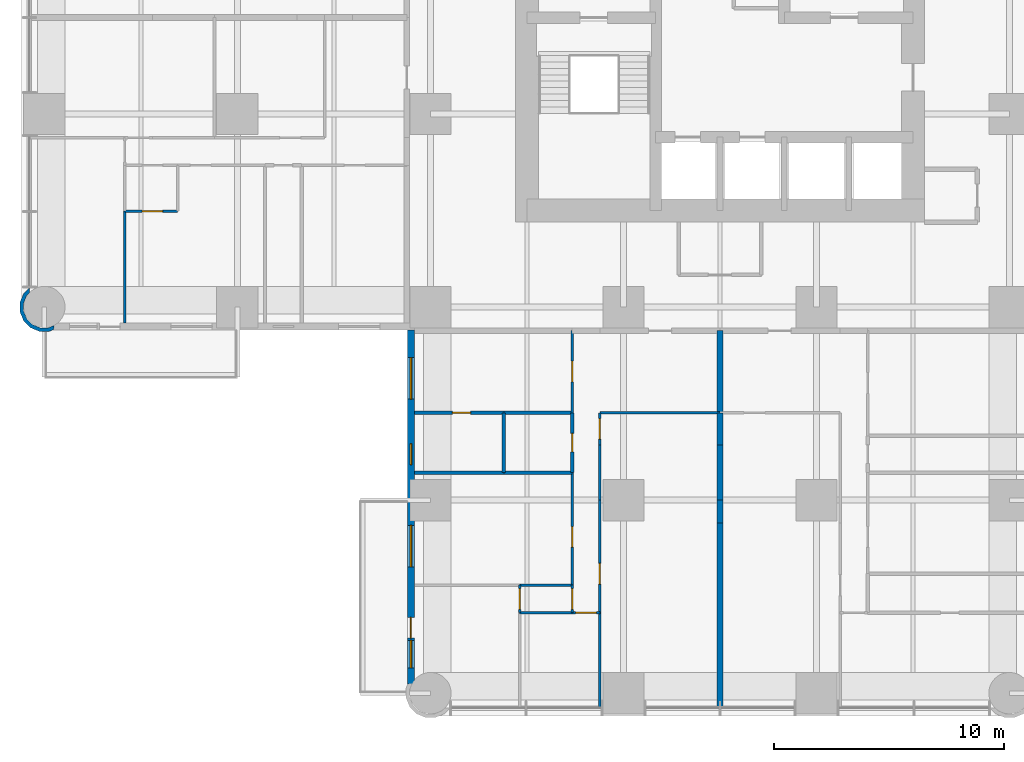
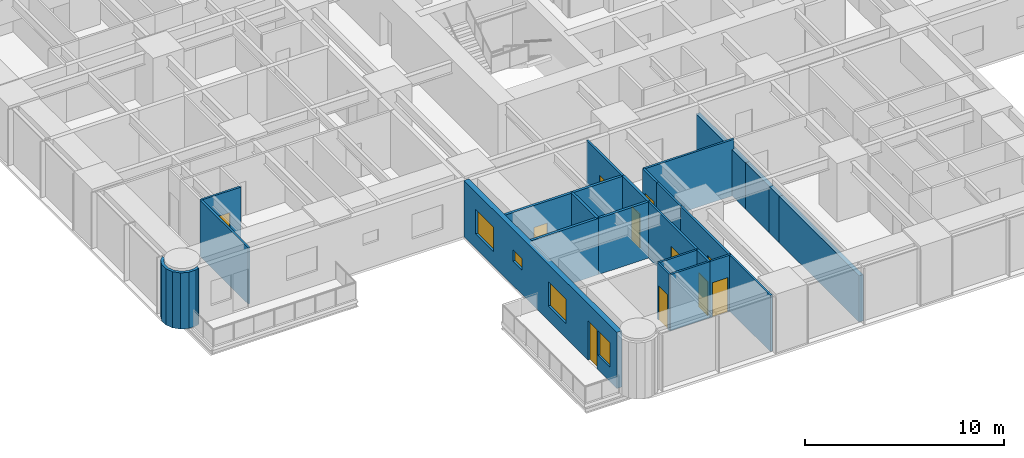
# One storey, part 7 of 17: 27 walls, 11 doors, 4 windows, 15 openings.
"""IFC4 building model written with IfcOpenShell, lengths in metres."""

from ifc_helpers import new_model, si_unit, direction, frame, frame_2d, origin, place, context, subcontext, project, spatial, polyline, rectangle, outline, extrude, material, layer, layer_set, type_object, element, fill, save


model = new_model("IFC4")

# Units and contexts
model_context = context("Model", 3, precision=1e-05, world=origin(), true_north=direction((0.0, 1.0)))
body_context = subcontext(model_context, "Body", "Model", "MODEL_VIEW")
ifc_project = project(units=[si_unit("LENGTHUNIT", "METRE"), si_unit("AREAUNIT", "SQUARE_METRE"), si_unit("VOLUMEUNIT", "CUBIC_METRE"), si_unit("PLANEANGLEUNIT", "RADIAN"), si_unit("MASSUNIT", "GRAM", prefix="KILO")], contexts=[model_context])

# Site, building, storey
site_placement = place(None, origin())
site = spatial("IfcSite", under=ifc_project, at=site_placement, CompositionType="ELEMENT")
building_placement = place(site_placement, origin())
building = spatial("IfcBuilding", under=site, at=building_placement, Name="Torre Alcanfor", CompositionType="ELEMENT")
storey_placement = place(building_placement, frame((0.0, 0.0, 48.89990234375)))
storey = spatial("IfcBuildingStorey", under=building, at=storey_placement, Name="L11", CompositionType="ELEMENT", Elevation=48.89990234375)

# Wall
ifc_material_1 = material(Name="Gypsum board on steel studs", Category="steel")
ifc_layer_1 = layer(ifc_material_1, 0.1201171875)
ifc_layer_set_1 = layer_set([ifc_layer_1], Name="Apartment partition 120")
wall_type_1 = type_object("IfcWallType", Name="Apartment partition 120", PredefinedType="PARTITIONING", material=ifc_layer_set_1)
wall_1_placement = place(storey_placement, frame((29.39990234375, 12.199951171875, 0.0), z_axis=(0.0, 0.0, 1.0), x_axis=(-1.0, 0.0, 0.0)))
element("IfcWall", 1, at=wall_1_placement, inside=storey, type_object=wall_type_1, Name="Partition L11-S2-ZAG / L11-S2-LAUND", PredefinedType="PARTITIONING", context=body_context, shape_type="SweptSolid", body=[
    extrude(rectangle(XDim=5.22900390625, YDim=0.1201171875, at=frame_2d((2.614501953125, 0.0))), origin(), (0.0, 0.0, 1.0), 3.4501953125),
])

# Wall, opening, door
wall_2_placement = place(storey_placement, frame((24.1708984375, 10.800048828125, 0.0), z_axis=(0.0, 0.0, 1.0), x_axis=(0.0, 1.0, 0.0)))
wall_2 = element("IfcWall", 2, at=wall_2_placement, inside=storey, type_object=wall_type_1, Name="Partition L11-S2-LAUND / L11-S2-HALL", PredefinedType="PARTITIONING", context=body_context, shape_type="SweptSolid", body=[
    extrude(rectangle(XDim=1.39990234375, YDim=0.1201171875, at=frame_2d((0.699951171875, 0.0))), origin(), (0.0, 0.0, 1.0), 3.4501953125),
])
opening_1_placement = place(wall_2_placement, frame((0.25, 0.0, 0.0)))
opening_1 = element("IfcOpeningElement", 3, at=opening_1_placement, cuts=wall_2, Name="Opening D-R1", PredefinedType="OPENING", context=body_context, shape_type="SweptSolid", body=[
    extrude(rectangle(XDim=0.89990234375, YDim=2.10009765625, at=frame_2d((0.449951171875, 1.050048828125))), frame((0.0, 0.070068359375, 0.0), z_axis=(0.0, -1.0, 0.0), x_axis=(1.0, 0.0, 0.0)), (0.0, 0.0, 1.0), 0.14013671875),
])
ifc_material_2 = material(Name="Timber", Category="wood")
door_type_1 = type_object("IfcDoorType", Name="Internal door 900x2100", OperationType="SINGLE_SWING_LEFT", PredefinedType="DOOR", material=ifc_material_2)
door_1_placement = place(opening_1_placement, frame((0.89990234375, 0.0, 0.0), z_axis=(0.0, 0.0, 1.0), x_axis=(-1.0, 0.0, 0.0)))
door_1 = element("IfcDoor", 4, at=door_1_placement, inside=storey, type_object=door_type_1, Name="Door L11-S2 laund", OperationType="SINGLE_SWING_RIGHT", OverallHeight=2.10009765625, OverallWidth=0.89990234375, PredefinedType="DOOR", context=body_context, shape_type="SweptSolid", body=[
    extrude(rectangle(XDim=0.89990234375, YDim=2.10009765625, at=frame_2d((0.449951171875, 1.050048828125))), frame((0.0, 0.025146484375, 0.0), z_axis=(0.0, -1.0, 0.0), x_axis=(1.0, 0.0, 0.0)), (0.0, 0.0, 1.0), 0.050048828125),
])
fill(opening_1, door_1)

# Wall
wall_3_placement = place(storey_placement, frame((24.1708984375, 8.39990234375, 0.0), z_axis=(0.0, 0.0, 1.0), x_axis=(0.0, 1.0, 0.0)))
element("IfcWall", 5, at=wall_3_placement, inside=storey, type_object=wall_type_1, Name="Partition L11-S2-KITCHEN / L11-S2-HALL", PredefinedType="PARTITIONING", context=body_context, shape_type="SweptSolid", body=[
    extrude(rectangle(XDim=2.400146484375, YDim=0.1201171875, at=frame_2d((1.2001953125, 0.0))), origin(), (0.0, 0.0, 1.0), 3.4501953125),
])

# Wall, opening, door
wall_4_placement = place(storey_placement, frame((24.1708984375, 3.5, 0.0), z_axis=(0.0, 0.0, 1.0), x_axis=(0.0, 1.0, 0.0)))
wall_4 = element("IfcWall", 6, at=wall_4_placement, inside=storey, type_object=wall_type_1, Name="Partition L11-S2-LIVING / L11-S2-HALL", PredefinedType="PARTITIONING", context=body_context, shape_type="SweptSolid", body=[
    extrude(rectangle(XDim=4.89990234375, YDim=0.1201171875, at=frame_2d((2.449951171875, 0.0))), origin(), (0.0, 0.0, 1.0), 3.4501953125),
])
opening_2_placement = place(wall_4_placement, frame((1.25, 0.0, 0.0)))
opening_2 = element("IfcOpeningElement", 7, at=opening_2_placement, cuts=wall_4, Name="Opening D-R1", PredefinedType="OPENING", context=body_context, shape_type="SweptSolid", body=[
    extrude(rectangle(XDim=0.89990234375, YDim=2.10009765625, at=frame_2d((0.449951171875, 1.050048828125))), frame((0.0, 0.070068359375, 0.0), z_axis=(0.0, -1.0, 0.0), x_axis=(1.0, 0.0, 0.0)), (0.0, 0.0, 1.0), 0.14013671875),
])
door_2_placement = place(opening_2_placement, frame((0.89990234375, 0.0, 0.0), z_axis=(0.0, 0.0, 1.0), x_axis=(-1.0, 0.0, 0.0)))
door_2 = element("IfcDoor", 8, at=door_2_placement, inside=storey, type_object=door_type_1, Name="Door L11-S2 living", OperationType="SINGLE_SWING_LEFT", OverallHeight=2.10009765625, OverallWidth=0.89990234375, PredefinedType="DOOR", context=body_context, shape_type="SweptSolid", body=[
    extrude(rectangle(XDim=0.89990234375, YDim=2.10009765625, at=frame_2d((0.449951171875, 1.050048828125))), frame((0.0, 0.025146484375, 0.0), z_axis=(0.0, -1.0, 0.0), x_axis=(1.0, 0.0, 0.0)), (0.0, 0.0, 1.0), 0.050048828125),
])
fill(opening_2, door_2)

# Wall
wall_5_placement = place(storey_placement, frame((24.1708984375, -0.64990234375, 0.0), z_axis=(0.0, 0.0, 1.0), x_axis=(0.0, 1.0, 0.0)))
element("IfcWall", 9, at=wall_5_placement, inside=storey, type_object=wall_type_1, Name="Partition L11-S2-LIVING / L11-S2-BED2", PredefinedType="PARTITIONING", context=body_context, shape_type="SweptSolid", body=[
    extrude(rectangle(XDim=4.14990234375, YDim=0.1201171875, at=frame_2d((2.074951171875, 0.0))), origin(), (0.0, 0.0, 1.0), 3.4501953125),
])

# Wall, opening, door
wall_6_placement = place(storey_placement, frame((22.970947265625, 12.199951171875, 0.0), z_axis=(0.0, 0.0, 1.0), x_axis=(0.0, 1.0, 0.0)))
wall_6 = element("IfcWall", 10, at=wall_6_placement, inside=storey, type_object=wall_type_1, Name="Partition L11-S2-HALL / L11-S2-SERV", PredefinedType="PARTITIONING", context=body_context, shape_type="SweptSolid", body=[
    extrude(rectangle(XDim=3.574951171875, YDim=0.1201171875, at=frame_2d((1.78759765625, 0.0))), origin(), (0.0, 0.0, 1.0), 3.4501953125),
])
opening_3_placement = place(wall_6_placement, frame((1.35009765625, 0.0, 0.0)))
opening_3 = element("IfcOpeningElement", 11, at=opening_3_placement, cuts=wall_6, Name="Opening D-R1", PredefinedType="OPENING", context=body_context, shape_type="SweptSolid", body=[
    extrude(rectangle(XDim=0.89990234375, YDim=2.10009765625, at=frame_2d((0.449951171875, 1.050048828125))), frame((0.0, 0.070068359375, 0.0), z_axis=(0.0, -1.0, 0.0), x_axis=(1.0, 0.0, 0.0)), (0.0, 0.0, 1.0), 0.14013671875),
])
door_3_placement = place(opening_3_placement, origin())
door_3 = element("IfcDoor", 12, at=door_3_placement, inside=storey, type_object=door_type_1, Name="Door L11-S2 serv", OperationType="SINGLE_SWING_RIGHT", OverallHeight=2.10009765625, OverallWidth=0.89990234375, PredefinedType="DOOR", context=body_context, shape_type="SweptSolid", body=[
    extrude(rectangle(XDim=0.89990234375, YDim=2.10009765625, at=frame_2d((0.449951171875, 1.050048828125))), frame((0.0, 0.02490234375, 0.0), z_axis=(0.0, -1.0, 0.0), x_axis=(1.0, 0.0, 0.0)), (0.0, 0.0, 1.0), 0.050048828125),
])
fill(opening_3, door_3)

wall_7_placement = place(storey_placement, frame((22.970947265625, 4.699951171875, 0.0), z_axis=(0.0, 0.0, 1.0), x_axis=(0.0, 1.0, 0.0)))
wall_7 = element("IfcWall", 13, at=wall_7_placement, inside=storey, type_object=wall_type_1, Name="Partition L11-S2-HALL / L11-S2-BED3", PredefinedType="PARTITIONING", context=body_context, shape_type="SweptSolid", body=[
    extrude(rectangle(XDim=4.900146484375, YDim=0.1201171875, at=frame_2d((2.4501953125, 0.0))), origin(), (0.0, 0.0, 1.0), 3.4501953125),
])
opening_4_placement = place(wall_7_placement, frame((1.64990234375, 0.0, 0.0)))
opening_4 = element("IfcOpeningElement", 14, at=opening_4_placement, cuts=wall_7, Name="Opening D-R1", PredefinedType="OPENING", context=body_context, shape_type="SweptSolid", body=[
    extrude(rectangle(XDim=0.89990234375, YDim=2.10009765625, at=frame_2d((0.449951171875, 1.050048828125))), frame((0.0, 0.070068359375, 0.0), z_axis=(0.0, -1.0, 0.0), x_axis=(1.0, 0.0, 0.0)), (0.0, 0.0, 1.0), 0.14013671875),
])
door_4_placement = place(opening_4_placement, origin())
door_4 = element("IfcDoor", 15, at=door_4_placement, inside=storey, type_object=door_type_1, Name="Door L11-S2 bed3", OperationType="SINGLE_SWING_LEFT", OverallHeight=2.10009765625, OverallWidth=0.89990234375, PredefinedType="DOOR", context=body_context, shape_type="SweptSolid", body=[
    extrude(rectangle(XDim=0.89990234375, YDim=2.10009765625, at=frame_2d((0.449951171875, 1.050048828125))), frame((0.0, 0.02490234375, 0.0), z_axis=(0.0, -1.0, 0.0), x_axis=(1.0, 0.0, 0.0)), (0.0, 0.0, 1.0), 0.050048828125),
])
fill(opening_4, door_4)

wall_8_placement = place(storey_placement, frame((22.970947265625, 3.5, 0.0), z_axis=(0.0, 0.0, 1.0), x_axis=(0.0, 1.0, 0.0)))
wall_8 = element("IfcWall", 16, at=wall_8_placement, inside=storey, type_object=wall_type_1, Name="Partition L11-S2-HALL / L11-S2-VEST", PredefinedType="PARTITIONING", context=body_context, shape_type="SweptSolid", body=[
    extrude(rectangle(XDim=1.199951171875, YDim=0.1201171875, at=frame_2d((0.60009765625, 0.0))), origin(), (0.0, 0.0, 1.0), 3.4501953125),
])
opening_5_placement = place(wall_8_placement, frame((0.14990234375, 0.0, 0.0)))
opening_5 = element("IfcOpeningElement", 17, at=opening_5_placement, cuts=wall_8, Name="Opening D-R1", PredefinedType="OPENING", context=body_context, shape_type="SweptSolid", body=[
    extrude(rectangle(XDim=0.89990234375, YDim=2.10009765625, at=frame_2d((0.449951171875, 1.050048828125))), frame((0.0, 0.070068359375, 0.0), z_axis=(0.0, -1.0, 0.0), x_axis=(1.0, 0.0, 0.0)), (0.0, 0.0, 1.0), 0.14013671875),
])
door_5_placement = place(opening_5_placement, origin())
door_5 = element("IfcDoor", 18, at=door_5_placement, inside=storey, type_object=door_type_1, Name="Door L11-S2 vest", OperationType="SINGLE_SWING_LEFT", OverallHeight=2.10009765625, OverallWidth=0.89990234375, PredefinedType="DOOR", context=body_context, shape_type="SweptSolid", body=[
    extrude(rectangle(XDim=0.89990234375, YDim=2.10009765625, at=frame_2d((0.449951171875, 1.050048828125))), frame((0.0, 0.02490234375, 0.0), z_axis=(0.0, -1.0, 0.0), x_axis=(1.0, 0.0, 0.0)), (0.0, 0.0, 1.0), 0.050048828125),
])
fill(opening_5, door_5)

wall_9_placement = place(storey_placement, frame((24.1708984375, 3.5, 0.0), z_axis=(0.0, 0.0, 1.0), x_axis=(-1.0, 0.0, 0.0)))
wall_9 = element("IfcWall", 19, at=wall_9_placement, inside=storey, type_object=wall_type_1, Name="Partition L11-S2-HALL / L11-S2-BED2", PredefinedType="PARTITIONING", context=body_context, shape_type="SweptSolid", body=[
    extrude(rectangle(XDim=1.199951171875, YDim=0.1201171875, at=frame_2d((0.60009765625, 0.0))), origin(), (0.0, 0.0, 1.0), 3.4501953125),
])
opening_6_placement = place(wall_9_placement, frame((0.15087890625, 0.0, 0.0)))
opening_6 = element("IfcOpeningElement", 20, at=opening_6_placement, cuts=wall_9, Name="Opening D-R1", PredefinedType="OPENING", context=body_context, shape_type="SweptSolid", body=[
    extrude(rectangle(XDim=0.89990234375, YDim=2.10009765625, at=frame_2d((0.449951171875, 1.050048828125))), frame((0.0, 0.070068359375, 0.0), z_axis=(0.0, -1.0, 0.0), x_axis=(1.0, 0.0, 0.0)), (0.0, 0.0, 1.0), 0.14013671875),
])
door_6_placement = place(opening_6_placement, origin())
door_6 = element("IfcDoor", 21, at=door_6_placement, inside=storey, type_object=door_type_1, Name="Door L11-S2 bed2", OperationType="SINGLE_SWING_LEFT", OverallHeight=2.10009765625, OverallWidth=0.89990234375, PredefinedType="DOOR", context=body_context, shape_type="SweptSolid", body=[
    extrude(rectangle(XDim=0.89990234375, YDim=2.10009765625, at=frame_2d((0.449951171875, 1.050048828125))), frame((0.0, 0.02490234375, 0.0), z_axis=(0.0, -1.0, 0.0), x_axis=(1.0, 0.0, 0.0)), (0.0, 0.0, 1.0), 0.050048828125),
])
fill(opening_6, door_6)

# Walls
for number, where, z_axis, x_axis, name in (
    (22, (22.970947265625, 4.699951171875, 0.0), (0.0, 0.0, 1.0), (-1.0, 0.0, 0.0), "Partition L11-S2-BED3 / L11-S2-VEST"),
    (23, (22.970947265625, 3.5, 0.0), (0.0, 0.0, 1.0), (-1.0, 0.0, 0.0), "Partition L11-S2-VEST / L11-S2-BED2"),
):
    element("IfcWall", number, at=place(storey_placement, frame(where, z_axis=z_axis, x_axis=x_axis)), inside=storey, type_object=wall_type_1, Name=name, PredefinedType="PARTITIONING", context=body_context, shape_type="SweptSolid", body=[
        extrude(rectangle(XDim=2.284912109375, YDim=0.1201171875, at=frame_2d((1.142578125, 0.0))), origin(), (0.0, 0.0, 1.0), 3.4501953125),
    ])

# Wall, opening, door
wall_10_placement = place(storey_placement, frame((20.68603515625, 3.5, 0.0), z_axis=(0.0, 0.0, 1.0), x_axis=(0.0, 1.0, 0.0)))
wall_10 = element("IfcWall", 24, at=wall_10_placement, inside=storey, type_object=wall_type_1, Name="Partition L11-S2-VEST / L11-S2-MASTER", PredefinedType="PARTITIONING", context=body_context, shape_type="SweptSolid", body=[
    extrude(rectangle(XDim=1.199951171875, YDim=0.1201171875, at=frame_2d((0.60009765625, 0.0))), origin(), (0.0, 0.0, 1.0), 3.4501953125),
])
opening_7_placement = place(wall_10_placement, frame((0.14990234375, 0.0, 0.0)))
opening_7 = element("IfcOpeningElement", 25, at=opening_7_placement, cuts=wall_10, Name="Opening D-R1", PredefinedType="OPENING", context=body_context, shape_type="SweptSolid", body=[
    extrude(rectangle(XDim=0.89990234375, YDim=2.10009765625, at=frame_2d((0.449951171875, 1.050048828125))), frame((0.0, 0.070068359375, 0.0), z_axis=(0.0, -1.0, 0.0), x_axis=(1.0, 0.0, 0.0)), (0.0, 0.0, 1.0), 0.14013671875),
])
door_7_placement = place(opening_7_placement, frame((0.89990234375, 0.0, 0.0), z_axis=(0.0, 0.0, 1.0), x_axis=(-1.0, 0.0, 0.0)))
door_7 = element("IfcDoor", 26, at=door_7_placement, inside=storey, type_object=door_type_1, Name="Door L11-S2 master", OperationType="SINGLE_SWING_RIGHT", OverallHeight=2.10009765625, OverallWidth=0.89990234375, PredefinedType="DOOR", context=body_context, shape_type="SweptSolid", body=[
    extrude(rectangle(XDim=0.89990234375, YDim=2.10009765625, at=frame_2d((0.449951171875, 1.050048828125))), frame((0.0, 0.025146484375, 0.0), z_axis=(0.0, -1.0, 0.0), x_axis=(1.0, 0.0, 0.0)), (0.0, 0.0, 1.0), 0.050048828125),
])
fill(opening_7, door_7)

wall_11_placement = place(storey_placement, frame((3.5, 20.970947265625, 0.0), z_axis=(0.0, 0.0, 1.0), x_axis=(1.0, 0.0, 0.0)))
wall_11 = element("IfcWall", 27, at=wall_11_placement, inside=storey, type_object=wall_type_1, Name="Partition L11-W1-MASTER / L11-W1-VEST", PredefinedType="PARTITIONING", context=body_context, shape_type="SweptSolid", body=[
    extrude(rectangle(XDim=2.300048828125, YDim=0.1201171875, at=frame_2d((1.14990234375, 0.0))), origin(), (0.0, 0.0, 1.0), 3.4501953125),
])
opening_8_placement = place(wall_11_placement, frame((0.75, 0.0, 0.0)))
opening_8 = element("IfcOpeningElement", 28, at=opening_8_placement, cuts=wall_11, Name="Opening D-R1", PredefinedType="OPENING", context=body_context, shape_type="SweptSolid", body=[
    extrude(rectangle(XDim=0.89990234375, YDim=2.10009765625, at=frame_2d((0.449951171875, 1.050048828125))), frame((0.0, 0.070068359375, 0.0), z_axis=(0.0, -1.0, 0.0), x_axis=(1.0, 0.0, 0.0)), (0.0, 0.0, 1.0), 0.14013671875),
])
door_8_placement = place(opening_8_placement, origin())
door_8 = element("IfcDoor", 29, at=door_8_placement, inside=storey, type_object=door_type_1, Name="Door L11-W1 master", OperationType="SINGLE_SWING_RIGHT", OverallHeight=2.10009765625, OverallWidth=0.89990234375, PredefinedType="DOOR", context=body_context, shape_type="SweptSolid", body=[
    extrude(rectangle(XDim=0.89990234375, YDim=2.10009765625, at=frame_2d((0.449951171875, 1.050048828125))), frame((0.0, 0.02490234375, 0.0), z_axis=(0.0, -1.0, 0.0), x_axis=(1.0, 0.0, 0.0)), (0.0, 0.0, 1.0), 0.050048828125),
])
fill(opening_8, door_8)

# Wall
wall_12_placement = place(storey_placement, frame((3.5, 16.10009765625, 0.0), z_axis=(0.0, 0.0, 1.0), x_axis=(0.0, 1.0, 0.0)))
element("IfcWall", 30, at=wall_12_placement, inside=storey, type_object=wall_type_1, Name="Partition L11-W1-MASTER / L11-W1-WGARD", PredefinedType="PARTITIONING", context=body_context, shape_type="SweptSolid", body=[
    extrude(rectangle(XDim=4.870849609375, YDim=0.1201171875, at=frame_2d((2.435546875, 0.0))), origin(), (0.0, 0.0, 1.0), 3.4501953125),
])

# Wall, openings, door, windows
ifc_material_3 = material(Name="Limestone cladding", Category="masonry")
ifc_layer_2 = layer(ifc_material_3, 0.0400390625, Name="Facing")
ifc_material_4 = material(Name="Ventilated air cavity")
ifc_layer_3 = layer(ifc_material_4, 0.02001953125, ventilated=True, Name="Ventilated joint")
ifc_material_5 = material(Name="Mineral wool insulation", Category="insulation")
ifc_layer_4 = layer(ifc_material_5, 0.10009765625, Name="Insulation")
ifc_material_6 = material(Name="Concrete f'c 35 MPa", Category="concrete")
ifc_layer_5 = layer(ifc_material_6, 0.139892578125, Name="Backing")
ifc_layer_set_2 = layer_set([ifc_layer_2, ifc_layer_3, ifc_layer_4, ifc_layer_5], Name="External wall stone-clad 300")
wall_type_2 = type_object("IfcWallType", Name="External wall stone-clad 300", PredefinedType="SOLIDWALL", material=ifc_layer_set_2)
wall_13_placement = place(storey_placement, frame((15.949951171875, 15.800048828125, 0.0), z_axis=(0.0, 0.0, 1.0), x_axis=(0.0, -1.0, 0.0)))
wall_13 = element("IfcWall", 31, at=wall_13_placement, inside=storey, type_object=wall_type_2, Name="External wall L11 4", PredefinedType="SOLIDWALL", context=body_context, shape_type="SweptSolid", body=[
    extrude(rectangle(XDim=15.400146484375, YDim=0.300048828125, at=frame_2d((7.7001953125, 0.0))), origin(), (0.0, 0.0, 1.0), 3.4501953125),
])
opening_9_placement = place(wall_13_placement, frame((1.199951171875, 0.0, 0.89990234375)))
opening_9 = element("IfcOpeningElement", 32, at=opening_9_placement, cuts=wall_13, Name="Opening W2", PredefinedType="OPENING", context=body_context, shape_type="SweptSolid", body=[
    extrude(rectangle(XDim=1.800048828125, YDim=1.5, at=frame_2d((0.89990234375, 0.75))), frame((0.0, 0.159912109375, 0.0), z_axis=(0.0, -1.0, 0.0), x_axis=(1.0, 0.0, 0.0)), (0.0, 0.0, 1.0), 0.320068359375),
])
opening_10_placement = place(wall_13_placement, frame((4.949951171875, 0.0, 1.5)))
opening_10 = element("IfcOpeningElement", 33, at=opening_10_placement, cuts=wall_13, Name="Opening W3", PredefinedType="OPENING", context=body_context, shape_type="SweptSolid", body=[
    extrude(rectangle(XDim=0.89990234375, YDim=0.699951171875, at=frame_2d((0.449951171875, 0.35009765625))), frame((0.0, 0.159912109375, 0.0), z_axis=(0.0, -1.0, 0.0), x_axis=(1.0, 0.0, 0.0)), (0.0, 0.0, 1.0), 0.320068359375),
])
opening_11_placement = place(wall_13_placement, frame((8.5, 0.0, 0.89990234375)))
opening_11 = element("IfcOpeningElement", 34, at=opening_11_placement, cuts=wall_13, Name="Opening W2", PredefinedType="OPENING", context=body_context, shape_type="SweptSolid", body=[
    extrude(rectangle(XDim=1.800048828125, YDim=1.5, at=frame_2d((0.89990234375, 0.75))), frame((0.0, 0.159912109375, 0.0), z_axis=(0.0, -1.0, 0.0), x_axis=(1.0, 0.0, 0.0)), (0.0, 0.0, 1.0), 0.320068359375),
])
opening_12_placement = place(wall_13_placement, frame((12.5, 0.0, 0.0)))
opening_12 = element("IfcOpeningElement", 35, at=opening_12_placement, cuts=wall_13, Name="Opening D-B1", PredefinedType="OPENING", context=body_context, shape_type="SweptSolid", body=[
    extrude(rectangle(XDim=0.89990234375, YDim=2.39990234375, at=frame_2d((0.449951171875, 1.199951171875))), frame((0.0, 0.159912109375, 0.0), z_axis=(0.0, -1.0, 0.0), x_axis=(1.0, 0.0, 0.0)), (0.0, 0.0, 1.0), 0.320068359375),
])
opening_13_placement = place(wall_13_placement, frame((13.5, 0.0, 0.89990234375)))
opening_13 = element("IfcOpeningElement", 36, at=opening_13_placement, cuts=wall_13, Name="Opening W4", PredefinedType="OPENING", context=body_context, shape_type="SweptSolid", body=[
    extrude(rectangle(XDim=1.199951171875, YDim=1.5, at=frame_2d((0.60009765625, 0.75))), frame((0.0, 0.159912109375, 0.0), z_axis=(0.0, -1.0, 0.0), x_axis=(1.0, 0.0, 0.0)), (0.0, 0.0, 1.0), 0.320068359375),
])
ifc_material_7 = material(Name="Aluminium and glass", Category="aluminium")
door_type_2 = type_object("IfcDoorType", Name="Balcony door glazed 900x2400", OperationType="SINGLE_SWING_LEFT", PredefinedType="DOOR", material=ifc_material_7)
door_9_placement = place(opening_12_placement, origin())
door_9 = element("IfcDoor", 37, at=door_9_placement, inside=storey, type_object=door_type_2, Name="Balcony door L11-S2", OperationType="SINGLE_SWING_LEFT", OverallHeight=2.39990234375, OverallWidth=0.89990234375, PredefinedType="DOOR", context=body_context, shape_type="SweptSolid", body=[
    extrude(rectangle(XDim=0.89990234375, YDim=2.39990234375, at=frame_2d((0.449951171875, 1.199951171875))), frame((0.0, 0.02490234375, 0.0), z_axis=(0.0, -1.0, 0.0), x_axis=(1.0, 0.0, 0.0)), (0.0, 0.0, 1.0), 0.050048828125),
])
fill(opening_12, door_9)
ifc_material_8 = material(Name="Aluminium frame with clear double glazing", Category="aluminium")
window_type_1 = type_object("IfcWindowType", Name="Window bathroom 900x700", PartitioningType="SINGLE_PANEL", PredefinedType="WINDOW", material=ifc_material_8)
window_1_placement = place(opening_10_placement, origin())
window_1 = element("IfcWindow", 38, at=window_1_placement, inside=storey, type_object=window_type_1, Name="Window W3 L11-S2", OverallHeight=0.699951171875, OverallWidth=0.89990234375, PartitioningType="SINGLE_PANEL", PredefinedType="WINDOW", context=body_context, shape_type="SweptSolid", body=[
    extrude(rectangle(XDim=0.89990234375, YDim=0.699951171875, at=frame_2d((0.449951171875, 0.35009765625))), frame((0.0, 0.030029296875, 0.0), z_axis=(0.0, -1.0, 0.0), x_axis=(1.0, 0.0, 0.0)), (0.0, 0.0, 1.0), 0.06005859375),
])
fill(opening_10, window_1)
ifc_material_9 = material(Name="Aluminium frame with clear double glazing", Category="aluminium")
window_type_2 = type_object("IfcWindowType", Name="Window bedroom 1200x1500", PartitioningType="SINGLE_PANEL", PredefinedType="WINDOW", material=ifc_material_9)
window_2_placement = place(opening_13_placement, origin())
window_2 = element("IfcWindow", 39, at=window_2_placement, inside=storey, type_object=window_type_2, Name="Window W4 L11-S2", OverallHeight=1.5, OverallWidth=1.199951171875, PartitioningType="SINGLE_PANEL", PredefinedType="WINDOW", context=body_context, shape_type="SweptSolid", body=[
    extrude(rectangle(XDim=1.199951171875, YDim=1.5, at=frame_2d((0.60009765625, 0.75))), frame((0.0, 0.030029296875, 0.0), z_axis=(0.0, -1.0, 0.0), x_axis=(1.0, 0.0, 0.0)), (0.0, 0.0, 1.0), 0.06005859375),
])
fill(opening_13, window_2)
ifc_material_10 = material(Name="Aluminium frame with clear double glazing", Category="aluminium")
window_type_3 = type_object("IfcWindowType", Name="Window bedroom 1800x1500", PartitioningType="SINGLE_PANEL", PredefinedType="WINDOW", material=ifc_material_10)
window_3_placement = place(opening_9_placement, origin())
window_3 = element("IfcWindow", 40, at=window_3_placement, inside=storey, type_object=window_type_3, Name="Window W2 L11-S2", OverallHeight=1.5, OverallWidth=1.800048828125, PartitioningType="SINGLE_PANEL", PredefinedType="WINDOW", context=body_context, shape_type="SweptSolid", body=[
    extrude(rectangle(XDim=1.800048828125, YDim=1.5, at=frame_2d((0.89990234375, 0.75))), frame((0.0, 0.030029296875, 0.0), z_axis=(0.0, -1.0, 0.0), x_axis=(1.0, 0.0, 0.0)), (0.0, 0.0, 1.0), 0.06005859375),
])
fill(opening_9, window_3)
window_4_placement = place(opening_11_placement, origin())
window_4 = element("IfcWindow", 41, at=window_4_placement, inside=storey, type_object=window_type_3, Name="Window W2 L11-S2", OverallHeight=1.5, OverallWidth=1.800048828125, PartitioningType="SINGLE_PANEL", PredefinedType="WINDOW", context=body_context, shape_type="SweptSolid", body=[
    extrude(rectangle(XDim=1.800048828125, YDim=1.5, at=frame_2d((0.89990234375, 0.75))), frame((0.0, 0.030029296875, 0.0), z_axis=(0.0, -1.0, 0.0), x_axis=(1.0, 0.0, 0.0)), (0.0, 0.0, 1.0), 0.06005859375),
])
fill(opening_11, window_4)

# Walls
ifc_material_11 = material(Name="Concrete block masonry, hollow blocks NMX-C-404 9 MPa", Category="masonry")
ifc_layer_6 = layer(ifc_material_11, 0.25)
ifc_layer_set_3 = layer_set([ifc_layer_6], Name="Party wall 250 EI 60")
wall_type_3 = type_object("IfcWallType", Name="Party wall 250 EI 60", PredefinedType="PARTITIONING", material=ifc_layer_set_3)
wall_14_placement = place(storey_placement, frame((29.39990234375, 15.77490234375, 0.0), z_axis=(0.0, 0.0, 1.0), x_axis=(0.0, -1.0, 0.0)))
element("IfcWall", 42, at=wall_14_placement, inside=storey, type_object=wall_type_3, Name="Partition L11-S1-ZAG / L11-S2-ZAG", PredefinedType="PARTITIONING", context=body_context, shape_type="SweptSolid", body=[
    extrude(rectangle(XDim=3.574951171875, YDim=0.25, at=frame_2d((1.78759765625, 0.0))), origin(), (0.0, 0.0, 1.0), 2.84814453125),
])
wall_15_placement = place(storey_placement, frame((29.39990234375, 12.199951171875, 0.0), z_axis=(0.0, 0.0, 1.0), x_axis=(0.0, -1.0, 0.0)))
element("IfcWall", 43, at=wall_15_placement, inside=storey, type_object=wall_type_3, Name="Partition L11-S1-KITCHEN / L11-S2-LAUND", PredefinedType="PARTITIONING", context=body_context, shape_type="SweptSolid", body=[
    extrude(rectangle(XDim=1.39990234375, YDim=0.25, at=frame_2d((0.699951171875, 0.0))), origin(), (0.0, 0.0, 1.0), 2.84814453125),
])
wall_16_placement = place(storey_placement, frame((29.39990234375, 10.800048828125, 0.0), z_axis=(0.0, 0.0, 1.0), x_axis=(0.0, -1.0, 0.0)))
element("IfcWall", 44, at=wall_16_placement, inside=storey, type_object=wall_type_3, Name="Partition L11-S1-KITCHEN / L11-S2-KITCHEN", PredefinedType="PARTITIONING", context=body_context, shape_type="SweptSolid", body=[
    extrude(rectangle(XDim=2.400146484375, YDim=0.25, at=frame_2d((1.2001953125, 0.0))), origin(), (0.0, 0.0, 1.0), 2.84814453125),
])
wall_17_placement = place(storey_placement, frame((29.39990234375, 8.39990234375, 0.0), z_axis=(0.0, 0.0, 1.0), x_axis=(0.0, -1.0, 0.0)))
element("IfcWall", 45, at=wall_17_placement, inside=storey, type_object=wall_type_3, Name="Partition L11-S1-KITCHEN / L11-S2-LIVING", PredefinedType="PARTITIONING", context=body_context, shape_type="SweptSolid", body=[
    extrude(rectangle(XDim=1.0, YDim=0.25, at=frame_2d((0.5, 0.0))), origin(), (0.0, 0.0, 1.0), 2.84814453125),
])
wall_18_placement = place(storey_placement, frame((29.39990234375, 7.39990234375, 0.0), z_axis=(0.0, 0.0, 1.0), x_axis=(0.0, -1.0, 0.0)))
element("IfcWall", 46, at=wall_18_placement, inside=storey, type_object=wall_type_3, Name="Partition L11-S1-LIVING / L11-S2-LIVING", PredefinedType="PARTITIONING", context=body_context, shape_type="SweptSolid", body=[
    extrude(rectangle(XDim=8.0498046875, YDim=0.25, at=frame_2d((4.02490234375, 0.0))), origin(), (0.0, 0.0, 1.0), 2.84814453125),
])
ifc_layer_7 = layer(ifc_material_3, 0.0400390625, Name="Facing")
ifc_layer_8 = layer(ifc_material_4, 0.02001953125, ventilated=True, Name="Ventilated joint")
ifc_layer_9 = layer(ifc_material_5, 0.10009765625, Name="Insulation")
ifc_layer_10 = layer(ifc_material_6, 0.139892578125, Name="Backing")
ifc_layer_set_4 = layer_set([ifc_layer_7, ifc_layer_8, ifc_layer_9, ifc_layer_10], Name="Rounded corner pier stone-clad 300")
wall_type_4 = type_object("IfcWallType", Name="Rounded corner pier stone-clad 300", PredefinedType="SOLIDWALL", material=ifc_layer_set_4)
wall_19_placement = place(storey_placement, frame((-0.610519256, 17.56659392, 0.0), z_axis=(0.0, 0.0, 1.0), x_axis=(-0.926129809145, -0.377204953059, 0.0)))
element("IfcWall", 47, at=wall_19_placement, inside=storey, type_object=wall_type_4, Name="Corner pier L11 14", PredefinedType="SOLIDWALL", context=body_context, shape_type="SweptSolid", body=[
    extrude(outline(polyline([(-0.2694320048751383, 2.0171861008885523), (-0.3700526678318482, 1.8406866495551875), (-0.10232913830325796, 1.8423628952563784), (0.22959433821660935, 1.7071732294627), (0.4846648868960458, 1.4551341488862783), (0.6237723089217844, 1.1248457008471362), (0.6256501657648526, 0.7663568996565957), (0.49046049997117414, 0.4344334231367283), (0.2387396163581813, 0.17949688931473468), (0.09014163443691028, 0.11691195088889664), (0.010851237809964043, -0.07776523799639344), (0.024417592436116662, -0.08329070117597158), (0.32956848036437986, 0.045229547111777235), (0.4801338191951393, 0.19743274075920003), (0.4990091877024963, 0.1926447125875501), (0.5075557555746872, 0.2252788612711387), (0.6260018077392729, 0.3452223941390844), (0.7850430562581303, 0.7357073014618439), (0.782472278983801, 1.15721841463542), (0.6187061231885674, 1.5460551039454697), (0.3187132761612602, 1.8424884313203629), (-0.07154552525106339, 2.0014375887862275), (-0.2401131340992967, 2.00049972024067), (-0.2694320048751383, 2.0171861008885523)])), origin(), (0.0, 0.0, 1.0), 3.4501953125),
])

# Wall, opening, door
ifc_material_12 = material(Name="Cement board on steel studs", Category="steel")
ifc_layer_11 = layer(ifc_material_12, 0.14990234375)
ifc_layer_set_5 = layer_set([ifc_layer_11], Name="Wet area partition 150")
wall_type_5 = type_object("IfcWallType", Name="Wet area partition 150", PredefinedType="PARTITIONING", material=ifc_layer_set_5)
wall_20_placement = place(storey_placement, frame((22.970947265625, 9.60009765625, 0.0), z_axis=(0.0, 0.0, 1.0), x_axis=(0.0, 1.0, 0.0)))
wall_20 = element("IfcWall", 48, at=wall_20_placement, inside=storey, type_object=wall_type_5, Name="Partition L11-S2-HALL / L11-S2-BATH1", PredefinedType="PARTITIONING", context=body_context, shape_type="SweptSolid", body=[
    extrude(rectangle(XDim=2.599853515625, YDim=0.14990234375, at=frame_2d((1.2998046875, 0.0))), origin(), (0.0, 0.0, 1.0), 3.4501953125),
])
opening_14_placement = place(wall_20_placement, frame((0.89990234375, 0.0, 0.0)))
opening_14 = element("IfcOpeningElement", 49, at=opening_14_placement, cuts=wall_20, Name="Opening D-R2", PredefinedType="OPENING", context=body_context, shape_type="SweptSolid", body=[
    extrude(rectangle(XDim=0.800048828125, YDim=2.10009765625, at=frame_2d((0.39990234375, 1.050048828125))), frame((0.0, 0.0849609375, 0.0), z_axis=(0.0, -1.0, 0.0), x_axis=(1.0, 0.0, 0.0)), (0.0, 0.0, 1.0), 0.169921875),
])
ifc_material_13 = material(Name="Timber", Category="wood")
door_type_3 = type_object("IfcDoorType", Name="Bathroom door 800x2100", OperationType="SINGLE_SWING_LEFT", PredefinedType="DOOR", material=ifc_material_13)
door_10_placement = place(opening_14_placement, origin())
door_10 = element("IfcDoor", 50, at=door_10_placement, inside=storey, type_object=door_type_3, Name="Door L11-S2 bath1", OperationType="SINGLE_SWING_LEFT", OverallHeight=2.10009765625, OverallWidth=0.800048828125, PredefinedType="DOOR", context=body_context, shape_type="SweptSolid", body=[
    extrude(rectangle(XDim=0.800048828125, YDim=2.10009765625, at=frame_2d((0.39990234375, 1.050048828125))), frame((0.0, 0.02490234375, 0.0), z_axis=(0.0, -1.0, 0.0), x_axis=(1.0, 0.0, 0.0)), (0.0, 0.0, 1.0), 0.050048828125),
])
fill(opening_14, door_10)

# Wall
wall_21_placement = place(storey_placement, frame((22.970947265625, 12.199951171875, 0.0), z_axis=(0.0, 0.0, 1.0), x_axis=(-1.0, 0.0, 0.0)))
element("IfcWall", 51, at=wall_21_placement, inside=storey, type_object=wall_type_5, Name="Partition L11-S2-SERV / L11-S2-BATH1", PredefinedType="PARTITIONING", context=body_context, shape_type="SweptSolid", body=[
    extrude(rectangle(XDim=2.970947265625, YDim=0.14990234375, at=frame_2d((1.4853515625, 0.0))), origin(), (0.0, 0.0, 1.0), 3.4501953125),
])

# Wall, opening, door
wall_22_placement = place(storey_placement, frame((20.0, 12.199951171875, 0.0), z_axis=(0.0, 0.0, 1.0), x_axis=(-1.0, 0.0, 0.0)))
wall_22 = element("IfcWall", 52, at=wall_22_placement, inside=storey, type_object=wall_type_5, Name="Partition L11-S2-SERV / L11-S2-SBATH", PredefinedType="PARTITIONING", context=body_context, shape_type="SweptSolid", body=[
    extrude(rectangle(XDim=3.89990234375, YDim=0.14990234375, at=frame_2d((1.949951171875, 0.0))), origin(), (0.0, 0.0, 1.0), 3.4501953125),
])
opening_15_placement = place(wall_22_placement, frame((1.449951171875, 0.0, 0.0)))
opening_15 = element("IfcOpeningElement", 53, at=opening_15_placement, cuts=wall_22, Name="Opening D-R2", PredefinedType="OPENING", context=body_context, shape_type="SweptSolid", body=[
    extrude(rectangle(XDim=0.800048828125, YDim=2.10009765625, at=frame_2d((0.39990234375, 1.050048828125))), frame((0.0, 0.0849609375, 0.0), z_axis=(0.0, -1.0, 0.0), x_axis=(1.0, 0.0, 0.0)), (0.0, 0.0, 1.0), 0.169921875),
])
door_11_placement = place(opening_15_placement, origin())
door_11 = element("IfcDoor", 54, at=door_11_placement, inside=storey, type_object=door_type_3, Name="Door L11-S2 sbath", OperationType="SINGLE_SWING_LEFT", OverallHeight=2.10009765625, OverallWidth=0.800048828125, PredefinedType="DOOR", context=body_context, shape_type="SweptSolid", body=[
    extrude(rectangle(XDim=0.800048828125, YDim=2.10009765625, at=frame_2d((0.39990234375, 1.050048828125))), frame((0.0, 0.02490234375, 0.0), z_axis=(0.0, -1.0, 0.0), x_axis=(1.0, 0.0, 0.0)), (0.0, 0.0, 1.0), 0.050048828125),
])
fill(opening_15, door_11)

# Walls
wall_23_placement = place(storey_placement, frame((20.0, 9.60009765625, 0.0), z_axis=(0.0, 0.0, 1.0), x_axis=(0.0, 1.0, 0.0)))
element("IfcWall", 55, at=wall_23_placement, inside=storey, type_object=wall_type_5, Name="Partition L11-S2-BATH1 / L11-S2-SBATH", PredefinedType="PARTITIONING", context=body_context, shape_type="SweptSolid", body=[
    extrude(rectangle(XDim=2.599853515625, YDim=0.14990234375, at=frame_2d((1.2998046875, 0.0))), origin(), (0.0, 0.0, 1.0), 3.4501953125),
])
wall_24_placement = place(storey_placement, frame((22.970947265625, 9.60009765625, 0.0), z_axis=(0.0, 0.0, 1.0), x_axis=(-1.0, 0.0, 0.0)))
element("IfcWall", 56, at=wall_24_placement, inside=storey, type_object=wall_type_5, Name="Partition L11-S2-BATH1 / L11-S2-BED3", PredefinedType="PARTITIONING", context=body_context, shape_type="SweptSolid", body=[
    extrude(rectangle(XDim=2.970947265625, YDim=0.14990234375, at=frame_2d((1.4853515625, 0.0))), origin(), (0.0, 0.0, 1.0), 3.4501953125),
])
wall_25_placement = place(storey_placement, frame((20.0, 9.60009765625, 0.0), z_axis=(0.0, 0.0, 1.0), x_axis=(-1.0, 0.0, 0.0)))
element("IfcWall", 57, at=wall_25_placement, inside=storey, type_object=wall_type_5, Name="Partition L11-S2-SBATH / L11-S2-BED3", PredefinedType="PARTITIONING", context=body_context, shape_type="SweptSolid", body=[
    extrude(rectangle(XDim=3.89990234375, YDim=0.14990234375, at=frame_2d((1.949951171875, 0.0))), origin(), (0.0, 0.0, 1.0), 3.4501953125),
])

save(model, "model.ifc")
